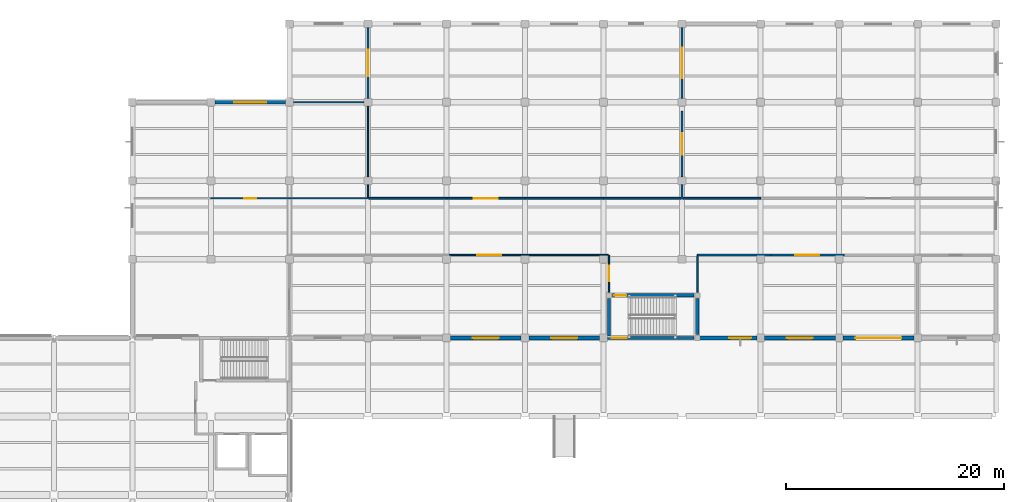
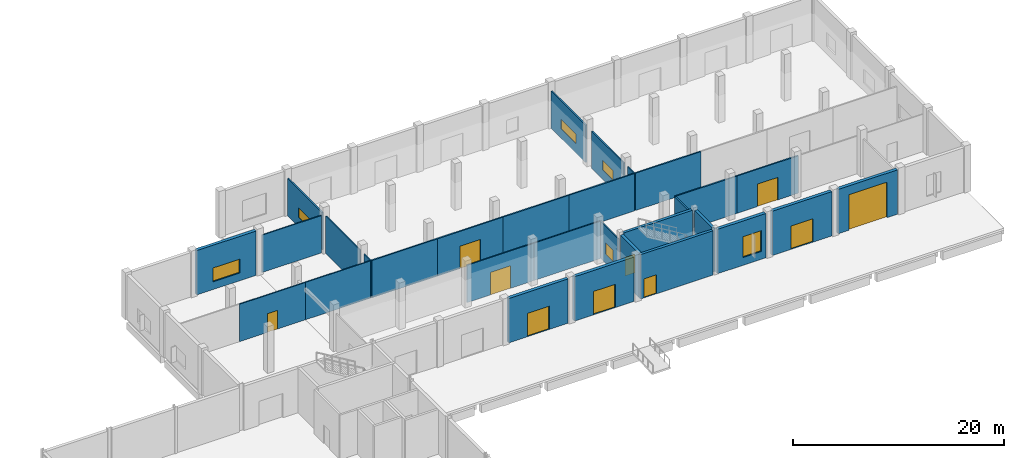
# One storey, part 29 of 46: 30 walls, 10 doors, 6 windows, 16 openings.
"""IFC4 building model written with IfcOpenShell, lengths in metres."""

from ifc_helpers import new_model, si_unit, direction, frame, frame_2d, origin, place, context, subcontext, project, spatial, rectangle, extrude, material, layer, layer_set, type_object, element, fill, save


model = new_model("IFC4")

# Units and contexts
model_context = context("Model", 3, precision=1e-05, world=origin(), true_north=direction((0.0, 1.0)))
body_context = subcontext(model_context, "Body", "Model", "MODEL_VIEW")
ifc_project = project(units=[si_unit("LENGTHUNIT", "METRE"), si_unit("AREAUNIT", "SQUARE_METRE"), si_unit("VOLUMEUNIT", "CUBIC_METRE"), si_unit("PLANEANGLEUNIT", "RADIAN"), si_unit("MASSUNIT", "GRAM", prefix="KILO"), si_unit("THERMODYNAMICTEMPERATUREUNIT", "KELVIN"), si_unit("POWERUNIT", "WATT")], contexts=[model_context])

# Site, building, storey
site_placement = place(None, origin())
site = spatial("IfcSite", under=ifc_project, at=site_placement, CompositionType="ELEMENT")
building_placement = place(site_placement, origin())
building = spatial("IfcBuilding", under=site, at=building_placement, Name="Kaldorven Railside Theatre", CompositionType="ELEMENT")
storey_placement = place(building_placement, origin())
storey = spatial("IfcBuildingStorey", under=building, at=storey_placement, Name="L00", CompositionType="ELEMENT", Elevation=0.0)

# Wall, opening, window
ifc_material_1 = material(Name="Precast concrete C40/50", Category="concrete")
ifc_layer_1 = layer(ifc_material_1, 0.35009765625, Name="Precast concrete C40/50")
ifc_layer_set_1 = layer_set([ifc_layer_1], Name="Precast concrete C40/50")
wall_type_1 = type_object("IfcWallType", Name="WL-EW03", PredefinedType="SOLIDWALL", material=ifc_layer_set_1)
wall_1_placement = place(storey_placement, frame((116.35009765625, 134.39990234375, 0.0), z_axis=(0.0, 0.0, 1.0), x_axis=(1.0, 0.0, 0.0)))
wall_1 = element("IfcWall", 1, at=wall_1_placement, inside=storey, type_object=wall_type_1, Name="V6L L00 Exterior Wall EW-0345", PredefinedType="SOLIDWALL", context=body_context, shape_type="SweptSolid", body=[
    extrude(rectangle(XDim=6.5, YDim=0.35009765625, at=frame_2d((3.25, 0.0))), origin(), (0.0, 0.0, 1.0), 5.1201171875),
])
opening_1_placement = place(wall_1_placement, frame((1.800048828125, 0.0, 0.89990234375)))
opening_1 = element("IfcOpeningElement", 2, at=opening_1_placement, cuts=wall_1, Name="Opening WN-050", PredefinedType="OPENING", context=body_context, shape_type="SweptSolid", body=[
    extrude(rectangle(XDim=2.89990234375, YDim=1.60009765625, at=frame_2d((1.449951171875, 0.800048828125))), frame((0.0, 0.18505859375, 0.0), z_axis=(0.0, -1.0, 0.0), x_axis=(1.0, 0.0, 0.0)), (0.0, 0.0, 1.0), 0.3701171875),
])
ifc_material_2 = material(Name="Low-E laminated solar-control glass", Category="glass")
window_type_1 = type_object("IfcWindowType", Name="WN-EW25", PartitioningType="SINGLE_PANEL", PredefinedType="WINDOW", material=ifc_material_2)
window_1_placement = place(opening_1_placement, origin())
window_1 = element("IfcWindow", 3, at=window_1_placement, inside=storey, type_object=window_type_1, Name="Shaded Acoustic Exterior Window WN-050", OverallHeight=1.60009765625, OverallWidth=2.89990234375, PartitioningType="SINGLE_PANEL", PredefinedType="WINDOW", context=body_context, shape_type="SweptSolid", body=[
    extrude(rectangle(XDim=2.89990234375, YDim=1.60009765625, at=frame_2d((1.449951171875, 0.800048828125))), frame((0.0, 0.030029296875, 0.0), z_axis=(0.0, -1.0, 0.0), x_axis=(1.0, 0.0, 0.0)), (0.0, 0.0, 1.0), 0.06005859375),
])
fill(opening_1, window_1)

# Wall, opening, door
wall_2_placement = place(storey_placement, frame((180.449951171875, 112.800048828125, 0.0), z_axis=(0.0, 0.0, 1.0), x_axis=(-1.0, 0.0, 0.0)))
wall_2 = element("IfcWall", 4, at=wall_2_placement, inside=storey, type_object=wall_type_1, Name="V6 L00 Exterior Wall EW-0372", PredefinedType="SOLIDWALL", context=body_context, shape_type="SweptSolid", body=[
    extrude(rectangle(XDim=6.5, YDim=0.35009765625, at=frame_2d((3.25, 0.0))), origin(), (0.0, 0.0, 1.0), 5.1201171875),
])
opening_2_placement = place(wall_2_placement, frame((1.14990234375, 0.0, 0.0)))
opening_2 = element("IfcOpeningElement", 5, at=opening_2_placement, cuts=wall_2, Name="Opening VG-01", PredefinedType="OPENING", context=body_context, shape_type="SweptSolid", body=[
    extrude(rectangle(XDim=4.199951171875, YDim=4.10009765625, at=frame_2d((2.10009765625, 2.050048828125))), frame((0.0, 0.18505859375, 0.0), z_axis=(0.0, -1.0, 0.0), x_axis=(1.0, 0.0, 0.0)), (0.0, 0.0, 1.0), 0.3701171875),
])
ifc_material_3 = material(Name="Powder-coated hollow-metal steel", Category="steel")
door_type_1 = type_object("IfcDoorType", Name="DR-VG01", OperationType="NOTDEFINED", PredefinedType="GATE", material=ifc_material_3)
door_1_placement = place(opening_2_placement, origin())
door_1 = element("IfcDoor", 6, at=door_1_placement, inside=storey, type_object=door_type_1, Name="Stage Loading Dock Roller Shutter Gate VG-01", OperationType="ROLLINGUP", OverallHeight=4.10009765625, OverallWidth=4.199951171875, PredefinedType="GATE", context=body_context, shape_type="SweptSolid", body=[
    extrude(rectangle(XDim=4.199951171875, YDim=4.10009765625, at=frame_2d((2.10009765625, 2.050048828125))), frame((0.0, 0.02490234375, 0.0), z_axis=(0.0, -1.0, 0.0), x_axis=(1.0, 0.0, 0.0)), (0.0, 0.0, 1.0), 0.050048828125),
])
fill(opening_2, door_1)

wall_3_placement = place(storey_placement, frame((173.25, 112.800048828125, 0.0), z_axis=(0.0, 0.0, 1.0), x_axis=(-1.0, 0.0, 0.0)))
wall_3 = element("IfcWall", 7, at=wall_3_placement, inside=storey, type_object=wall_type_1, Name="V6 L00 Exterior Wall EW-0373", PredefinedType="SOLIDWALL", context=body_context, shape_type="SweptSolid", body=[
    extrude(rectangle(XDim=6.5, YDim=0.35009765625, at=frame_2d((3.25, 0.0))), origin(), (0.0, 0.0, 1.0), 5.1201171875),
])
opening_3_placement = place(wall_3_placement, frame((2.050048828125, 0.0, 0.0)))
opening_3 = element("IfcOpeningElement", 8, at=opening_3_placement, cuts=wall_3, Name="Opening ED-017", PredefinedType="OPENING", context=body_context, shape_type="SweptSolid", body=[
    extrude(rectangle(XDim=2.39990234375, YDim=2.699951171875, at=frame_2d((1.199951171875, 1.35009765625))), frame((0.0, 0.18505859375, 0.0), z_axis=(0.0, -1.0, 0.0), x_axis=(1.0, 0.0, 0.0)), (0.0, 0.0, 1.0), 0.3701171875),
])
door_type_2 = type_object("IfcDoorType", Name="DR-ED11", OperationType="NOTDEFINED", PredefinedType="DOOR", material=ifc_material_3)
door_2_placement = place(opening_3_placement, origin())
door_2 = element("IfcDoor", 9, at=door_2_placement, inside=storey, type_object=door_type_2, Name="Pedestrian Final Exit ED-017", OperationType="DOUBLE_DOOR_SINGLE_SWING", OverallHeight=2.699951171875, OverallWidth=2.39990234375, PredefinedType="DOOR", context=body_context, shape_type="SweptSolid", body=[
    extrude(rectangle(XDim=2.39990234375, YDim=2.699951171875, at=frame_2d((1.199951171875, 1.35009765625))), frame((0.0, 0.02490234375, 0.0), z_axis=(0.0, -1.0, 0.0), x_axis=(1.0, 0.0, 0.0)), (0.0, 0.0, 1.0), 0.050048828125),
])
fill(opening_3, door_2)

# Wall, opening, window
wall_4_placement = place(storey_placement, frame((166.050048828125, 112.800048828125, 0.0), z_axis=(0.0, 0.0, 1.0), x_axis=(-1.0, 0.0, 0.0)))
wall_4 = element("IfcWall", 10, at=wall_4_placement, inside=storey, type_object=wall_type_1, Name="V6 L00 Exterior Wall EW-0374", PredefinedType="SOLIDWALL", context=body_context, shape_type="SweptSolid", body=[
    extrude(rectangle(XDim=5.300048828125, YDim=0.35009765625, at=frame_2d((2.64990234375, 0.0))), origin(), (0.0, 0.0, 1.0), 5.1201171875),
])
opening_4_placement = place(wall_4_placement, frame((0.5, 0.0, 0.89990234375)))
opening_4 = element("IfcOpeningElement", 11, at=opening_4_placement, cuts=wall_4, Name="Opening WN-069", PredefinedType="OPENING", context=body_context, shape_type="SweptSolid", body=[
    extrude(rectangle(XDim=2.0, YDim=2.39990234375, at=frame_2d((1.0, 1.199951171875))), frame((0.0, 0.18505859375, 0.0), z_axis=(0.0, -1.0, 0.0), x_axis=(1.0, 0.0, 0.0)), (0.0, 0.0, 1.0), 0.3701171875),
])
window_type_2 = type_object("IfcWindowType", Name="WN-EW19", PartitioningType="SINGLE_PANEL", PredefinedType="WINDOW", material=ifc_material_2)
window_2_placement = place(opening_4_placement, origin())
window_2 = element("IfcWindow", 12, at=window_2_placement, inside=storey, type_object=window_type_2, Name="Shaded Acoustic Exterior Window WN-069", OverallHeight=2.39990234375, OverallWidth=2.0, PartitioningType="SINGLE_PANEL", PredefinedType="WINDOW", context=body_context, shape_type="SweptSolid", body=[
    extrude(rectangle(XDim=2.0, YDim=2.39990234375, at=frame_2d((1.0, 1.199951171875))), frame((0.0, 0.030029296875, 0.0), z_axis=(0.0, -1.0, 0.0), x_axis=(1.0, 0.0, 0.0)), (0.0, 0.0, 1.0), 0.06005859375),
])
fill(opening_4, window_2)

# Wall, opening, door
wall_5_placement = place(storey_placement, frame((151.64990234375, 112.800048828125, 0.0), z_axis=(0.0, 0.0, 1.0), x_axis=(-1.0, 0.0, 0.0)))
wall_5 = element("IfcWall", 13, at=wall_5_placement, inside=storey, type_object=wall_type_1, Name="V6 L00 Exterior Wall EW-0375", PredefinedType="SOLIDWALL", context=body_context, shape_type="SweptSolid", body=[
    extrude(rectangle(XDim=6.5, YDim=0.35009765625, at=frame_2d((3.25, 0.0))), origin(), (0.0, 0.0, 1.0), 5.1201171875),
])
opening_5_placement = place(wall_5_placement, frame((2.050048828125, 0.0, 0.0)))
opening_5 = element("IfcOpeningElement", 14, at=opening_5_placement, cuts=wall_5, Name="Opening ED-018", PredefinedType="OPENING", context=body_context, shape_type="SweptSolid", body=[
    extrude(rectangle(XDim=2.39990234375, YDim=2.699951171875, at=frame_2d((1.199951171875, 1.35009765625))), frame((0.0, 0.18505859375, 0.0), z_axis=(0.0, -1.0, 0.0), x_axis=(1.0, 0.0, 0.0)), (0.0, 0.0, 1.0), 0.3701171875),
])
door_3_placement = place(opening_5_placement, origin())
door_3 = element("IfcDoor", 15, at=door_3_placement, inside=storey, type_object=door_type_2, Name="Pedestrian Final Exit ED-018", OperationType="DOUBLE_DOOR_SINGLE_SWING", OverallHeight=2.699951171875, OverallWidth=2.39990234375, PredefinedType="DOOR", context=body_context, shape_type="SweptSolid", body=[
    extrude(rectangle(XDim=2.39990234375, YDim=2.699951171875, at=frame_2d((1.199951171875, 1.35009765625))), frame((0.0, 0.02490234375, 0.0), z_axis=(0.0, -1.0, 0.0), x_axis=(1.0, 0.0, 0.0)), (0.0, 0.0, 1.0), 0.050048828125),
])
fill(opening_5, door_3)

wall_6_placement = place(storey_placement, frame((144.449951171875, 112.800048828125, 0.0), z_axis=(0.0, 0.0, 1.0), x_axis=(-1.0, 0.0, 0.0)))
wall_6 = element("IfcWall", 16, at=wall_6_placement, inside=storey, type_object=wall_type_1, Name="V6 L00 Exterior Wall EW-0376", PredefinedType="SOLIDWALL", context=body_context, shape_type="SweptSolid", body=[
    extrude(rectangle(XDim=6.5, YDim=0.35009765625, at=frame_2d((3.25, 0.0))), origin(), (0.0, 0.0, 1.0), 5.1201171875),
])
opening_6_placement = place(wall_6_placement, frame((2.050048828125, 0.0, 0.0)))
opening_6 = element("IfcOpeningElement", 17, at=opening_6_placement, cuts=wall_6, Name="Opening ED-019", PredefinedType="OPENING", context=body_context, shape_type="SweptSolid", body=[
    extrude(rectangle(XDim=2.39990234375, YDim=2.699951171875, at=frame_2d((1.199951171875, 1.35009765625))), frame((0.0, 0.18505859375, 0.0), z_axis=(0.0, -1.0, 0.0), x_axis=(1.0, 0.0, 0.0)), (0.0, 0.0, 1.0), 0.3701171875),
])
door_4_placement = place(opening_6_placement, origin())
door_4 = element("IfcDoor", 18, at=door_4_placement, inside=storey, type_object=door_type_2, Name="Pedestrian Final Exit ED-019", OperationType="DOUBLE_DOOR_SINGLE_SWING", OverallHeight=2.699951171875, OverallWidth=2.39990234375, PredefinedType="DOOR", context=body_context, shape_type="SweptSolid", body=[
    extrude(rectangle(XDim=2.39990234375, YDim=2.699951171875, at=frame_2d((1.199951171875, 1.35009765625))), frame((0.0, 0.02490234375, 0.0), z_axis=(0.0, -1.0, 0.0), x_axis=(1.0, 0.0, 0.0)), (0.0, 0.0, 1.0), 0.050048828125),
])
fill(opening_6, door_4)

# Wall, opening, window
ifc_material_4 = material(Name="Acoustic gypsum board")
ifc_layer_2 = layer(ifc_material_4, 0.14990234375, Name="Acoustic gypsum board")
ifc_layer_set_2 = layer_set([ifc_layer_2], Name="Acoustic gypsum board")
wall_type_2 = type_object("IfcWallType", Name="WL-IW-AC1", PredefinedType="PARTITIONING", material=ifc_layer_set_2)
wall_7_placement = place(storey_placement, frame((159.199951171875, 127.550048828125, 0.0), z_axis=(0.0, 0.0, 1.0), x_axis=(0.0, 1.0, 0.0)))
wall_7 = element("IfcWall", 19, at=wall_7_placement, inside=storey, type_object=wall_type_2, Name="L00 Interior Wall IW-0498", PredefinedType="PARTITIONING", context=body_context, shape_type="SweptSolid", body=[
    extrude(rectangle(XDim=6.050048828125, YDim=0.14990234375, at=frame_2d((3.02490234375, 0.0))), origin(), (0.0, 0.0, 1.0), 4.31494140625),
])
opening_7_placement = place(wall_7_placement, frame((2.02490234375, 0.0, 1.10009765625)))
opening_7 = element("IfcOpeningElement", 20, at=opening_7_placement, cuts=wall_7, Name="Opening IWN-010", PredefinedType="OPENING", context=body_context, shape_type="SweptSolid", body=[
    extrude(rectangle(XDim=2.0, YDim=1.10009765625, at=frame_2d((1.0, 0.550048828125))), frame((0.0, 0.0849609375, 0.0), z_axis=(0.0, -1.0, 0.0), x_axis=(1.0, 0.0, 0.0)), (0.0, 0.0, 1.0), 0.169921875),
])
window_type_3 = type_object("IfcWindowType", Name="WN-IW02", PartitioningType="SINGLE_PANEL", PredefinedType="WINDOW", material=ifc_material_2)
window_3_placement = place(opening_7_placement, origin())
window_3 = element("IfcWindow", 21, at=window_3_placement, inside=storey, type_object=window_type_3, Name="Acoustic Observation Window IWN-010", OverallHeight=1.10009765625, OverallWidth=2.0, PartitioningType="SINGLE_PANEL", PredefinedType="WINDOW", context=body_context, shape_type="SweptSolid", body=[
    extrude(rectangle(XDim=2.0, YDim=1.10009765625, at=frame_2d((1.0, 0.550048828125))), frame((0.0, 0.030029296875, 0.0), z_axis=(0.0, -1.0, 0.0), x_axis=(1.0, 0.0, 0.0)), (0.0, 0.0, 1.0), 0.06005859375),
])
fill(opening_7, window_3)

# Wall
wall_8_placement = place(storey_placement, frame((159.199951171875, 125.60009765625, 0.0), z_axis=(0.0, 0.0, 1.0), x_axis=(0.0, 1.0, 0.0)))
element("IfcWall", 22, at=wall_8_placement, inside=storey, type_object=wall_type_2, Name="L00 Interior Wall IW-0499", PredefinedType="PARTITIONING", context=body_context, shape_type="SweptSolid", body=[
    extrude(rectangle(XDim=1.25, YDim=0.14990234375, at=frame_2d((0.625, 0.0))), origin(), (0.0, 0.0, 1.0), 4.31494140625),
])

# Wall, opening, window
wall_9_placement = place(storey_placement, frame((159.199951171875, 134.75, 0.0), z_axis=(0.0, 0.0, 1.0), x_axis=(0.0, 1.0, 0.0)))
wall_9 = element("IfcWall", 23, at=wall_9_placement, inside=storey, type_object=wall_type_2, Name="L00 Interior Wall IW-0500", PredefinedType="PARTITIONING", context=body_context, shape_type="SweptSolid", body=[
    extrude(rectangle(XDim=6.5, YDim=0.14990234375, at=frame_2d((3.25, 0.0))), origin(), (0.0, 0.0, 1.0), 4.31494140625),
])
opening_8_placement = place(wall_9_placement, frame((1.85009765625, 0.0, 1.10009765625)))
opening_8 = element("IfcOpeningElement", 24, at=opening_8_placement, cuts=wall_9, Name="Opening IWN-012", PredefinedType="OPENING", context=body_context, shape_type="SweptSolid", body=[
    extrude(rectangle(XDim=2.800048828125, YDim=1.10009765625, at=frame_2d((1.39990234375, 0.550048828125))), frame((0.0, 0.0849609375, 0.0), z_axis=(0.0, -1.0, 0.0), x_axis=(1.0, 0.0, 0.0)), (0.0, 0.0, 1.0), 0.169921875),
])
window_type_4 = type_object("IfcWindowType", Name="WN-IW04", PartitioningType="SINGLE_PANEL", PredefinedType="WINDOW", material=ifc_material_2)
window_4_placement = place(opening_8_placement, origin())
window_4 = element("IfcWindow", 25, at=window_4_placement, inside=storey, type_object=window_type_4, Name="Acoustic Observation Window IWN-012", OverallHeight=1.10009765625, OverallWidth=2.800048828125, PartitioningType="SINGLE_PANEL", PredefinedType="WINDOW", context=body_context, shape_type="SweptSolid", body=[
    extrude(rectangle(XDim=2.800048828125, YDim=1.10009765625, at=frame_2d((1.39990234375, 0.550048828125))), frame((0.0, 0.030029296875, 0.0), z_axis=(0.0, -1.0, 0.0), x_axis=(1.0, 0.0, 0.0)), (0.0, 0.0, 1.0), 0.06005859375),
])
fill(opening_8, window_4)

wall_10_placement = place(storey_placement, frame((130.39990234375, 141.25, 0.0), z_axis=(0.0, 0.0, 1.0), x_axis=(0.0, -1.0, 0.0)))
wall_10 = element("IfcWall", 26, at=wall_10_placement, inside=storey, type_object=wall_type_2, Name="L00 Interior Wall IW-0501", PredefinedType="PARTITIONING", context=body_context, shape_type="SweptSolid", body=[
    extrude(rectangle(XDim=6.5, YDim=0.14990234375, at=frame_2d((3.25, 0.0))), origin(), (0.0, 0.0, 1.0), 4.31494140625),
])
opening_9_placement = place(wall_10_placement, frame((2.050048828125, 0.0, 1.10009765625)))
opening_9 = element("IfcOpeningElement", 27, at=opening_9_placement, cuts=wall_10, Name="Opening IWN-011", PredefinedType="OPENING", context=body_context, shape_type="SweptSolid", body=[
    extrude(rectangle(XDim=2.39990234375, YDim=1.10009765625, at=frame_2d((1.199951171875, 0.550048828125))), frame((0.0, 0.0849609375, 0.0), z_axis=(0.0, -1.0, 0.0), x_axis=(1.0, 0.0, 0.0)), (0.0, 0.0, 1.0), 0.169921875),
])
window_type_5 = type_object("IfcWindowType", Name="WN-IW03", PartitioningType="SINGLE_PANEL", PredefinedType="WINDOW", material=ifc_material_2)
window_5_placement = place(opening_9_placement, origin())
window_5 = element("IfcWindow", 28, at=window_5_placement, inside=storey, type_object=window_type_5, Name="Acoustic Observation Window IWN-011", OverallHeight=1.10009765625, OverallWidth=2.39990234375, PartitioningType="SINGLE_PANEL", PredefinedType="WINDOW", context=body_context, shape_type="SweptSolid", body=[
    extrude(rectangle(XDim=2.39990234375, YDim=1.10009765625, at=frame_2d((1.199951171875, 0.550048828125))), frame((0.0, 0.030029296875, 0.0), z_axis=(0.0, -1.0, 0.0), x_axis=(1.0, 0.0, 0.0)), (0.0, 0.0, 1.0), 0.06005859375),
])
fill(opening_9, window_5)

# Wall
wall_11_placement = place(storey_placement, frame((130.4619140625, 125.60009765625, 0.0), z_axis=(0.0, 0.0, 1.0), x_axis=(1.0, 0.0, 0.0)))
element("IfcWall", 29, at=wall_11_placement, inside=storey, type_object=wall_type_2, Name="L00 Interior Wall IW-0502", PredefinedType="PARTITIONING", context=body_context, shape_type="SweptSolid", body=[
    extrude(rectangle(XDim=7.13818359375, YDim=0.14990234375, at=frame_2d((3.569091796875, 0.0))), origin(), (0.0, 0.0, 1.0), 4.31494140625),
])

# Wall, opening, door
wall_12_placement = place(storey_placement, frame((137.60009765625, 125.60009765625, 0.0), z_axis=(0.0, 0.0, 1.0), x_axis=(1.0, 0.0, 0.0)))
wall_12 = element("IfcWall", 30, at=wall_12_placement, inside=storey, type_object=wall_type_2, Name="L00 Interior Wall IW-0503", PredefinedType="PARTITIONING", context=body_context, shape_type="SweptSolid", body=[
    extrude(rectangle(XDim=7.199951171875, YDim=0.14990234375, at=frame_2d((3.60009765625, 0.0))), origin(), (0.0, 0.0, 1.0), 4.31494140625),
])
opening_10_placement = place(wall_12_placement, frame((2.5, 0.0, 0.0)))
opening_10 = element("IfcOpeningElement", 31, at=opening_10_placement, cuts=wall_12, Name="Opening ID-0116", PredefinedType="OPENING", context=body_context, shape_type="SweptSolid", body=[
    extrude(rectangle(XDim=2.199951171875, YDim=2.60009765625, at=frame_2d((1.10009765625, 1.300048828125))), frame((0.0, 0.0849609375, 0.0), z_axis=(0.0, -1.0, 0.0), x_axis=(1.0, 0.0, 0.0)), (0.0, 0.0, 1.0), 0.169921875),
])
door_type_3 = type_object("IfcDoorType", Name="DR-ID-WKS1", OperationType="NOTDEFINED", PredefinedType="DOOR", material=ifc_material_3)
door_5_placement = place(opening_10_placement, origin())
door_5 = element("IfcDoor", 32, at=door_5_placement, inside=storey, type_object=door_type_3, Name="Scenery Workshop Entry Door", OperationType="DOUBLE_DOOR_SINGLE_SWING", OverallHeight=2.60009765625, OverallWidth=2.199951171875, PredefinedType="DOOR", context=body_context, shape_type="SweptSolid", body=[
    extrude(rectangle(XDim=2.199951171875, YDim=2.60009765625, at=frame_2d((1.10009765625, 1.300048828125))), frame((0.0, 0.02490234375, 0.0), z_axis=(0.0, -1.0, 0.0), x_axis=(1.0, 0.0, 0.0)), (0.0, 0.0, 1.0), 0.050048828125),
])
fill(opening_10, door_5)

# Walls
wall_13_placement = place(storey_placement, frame((144.800048828125, 125.60009765625, 0.0), z_axis=(0.0, 0.0, 1.0), x_axis=(1.0, 0.0, 0.0)))
element("IfcWall", 33, at=wall_13_placement, inside=storey, type_object=wall_type_2, Name="L00 Interior Wall IW-0504", PredefinedType="PARTITIONING", context=body_context, shape_type="SweptSolid", body=[
    extrude(rectangle(XDim=7.199951171875, YDim=0.14990234375, at=frame_2d((3.60009765625, 0.0))), origin(), (0.0, 0.0, 1.0), 4.31494140625),
])
wall_14_placement = place(storey_placement, frame((152.0, 125.60009765625, 0.0), z_axis=(0.0, 0.0, 1.0), x_axis=(1.0, 0.0, 0.0)))
element("IfcWall", 34, at=wall_14_placement, inside=storey, type_object=wall_type_2, Name="L00 Interior Wall IW-0505", PredefinedType="PARTITIONING", context=body_context, shape_type="SweptSolid", body=[
    extrude(rectangle(XDim=7.123046875, YDim=0.14990234375, at=frame_2d((3.5615234375, 0.0))), origin(), (0.0, 0.0, 1.0), 4.31494140625),
])
wall_15_placement = place(storey_placement, frame((159.277099609375, 125.60009765625, 0.0), z_axis=(0.0, 0.0, 1.0), x_axis=(1.0, 0.0, 0.0)))
element("IfcWall", 35, at=wall_15_placement, inside=storey, type_object=wall_type_2, Name="L00 Interior Wall IW-0506", PredefinedType="PARTITIONING", context=body_context, shape_type="SweptSolid", body=[
    extrude(rectangle(XDim=7.122802734375, YDim=0.14990234375, at=frame_2d((3.5615234375, 0.0))), origin(), (0.0, 0.0, 1.0), 4.31494140625),
])

# Wall, opening, door
wall_16_placement = place(storey_placement, frame((174.066650390625, 120.39990234375, 0.0), z_axis=(0.0, 0.0, 1.0), x_axis=(-1.0, 0.0, 0.0)))
wall_16 = element("IfcWall", 36, at=wall_16_placement, inside=storey, type_object=wall_type_2, Name="L00 Interior Wall IW-0512", PredefinedType="PARTITIONING", context=body_context, shape_type="SweptSolid", body=[
    extrude(rectangle(XDim=6.7333984375, YDim=0.14990234375, at=frame_2d((3.36669921875, 0.0))), origin(), (0.0, 0.0, 1.0), 4.31494140625),
])
opening_11_placement = place(wall_16_placement, frame((2.2666015625, 0.0, 0.0)))
opening_11 = element("IfcOpeningElement", 37, at=opening_11_placement, cuts=wall_16, Name="Opening ID-0118", PredefinedType="OPENING", context=body_context, shape_type="SweptSolid", body=[
    extrude(rectangle(XDim=2.199951171875, YDim=2.60009765625, at=frame_2d((1.10009765625, 1.300048828125))), frame((0.0, 0.0849609375, 0.0), z_axis=(0.0, -1.0, 0.0), x_axis=(1.0, 0.0, 0.0)), (0.0, 0.0, 1.0), 0.169921875),
])
door_6_placement = place(opening_11_placement, origin())
door_6 = element("IfcDoor", 38, at=door_6_placement, inside=storey, type_object=door_type_3, Name="Loading Airlock Entry Door", OperationType="DOUBLE_DOOR_SINGLE_SWING", OverallHeight=2.60009765625, OverallWidth=2.199951171875, PredefinedType="DOOR", context=body_context, shape_type="SweptSolid", body=[
    extrude(rectangle(XDim=2.199951171875, YDim=2.60009765625, at=frame_2d((1.10009765625, 1.300048828125))), frame((0.0, 0.02490234375, 0.0), z_axis=(0.0, -1.0, 0.0), x_axis=(1.0, 0.0, 0.0)), (0.0, 0.0, 1.0), 0.050048828125),
])
fill(opening_11, door_6)

# Walls
wall_17_placement = place(storey_placement, frame((167.333251953125, 120.39990234375, 0.0), z_axis=(0.0, 0.0, 1.0), x_axis=(-1.0, 0.0, 0.0)))
element("IfcWall", 39, at=wall_17_placement, inside=storey, type_object=wall_type_2, Name="L00 Interior Wall IW-0513", PredefinedType="PARTITIONING", context=body_context, shape_type="SweptSolid", body=[
    extrude(rectangle(XDim=6.733154296875, YDim=0.14990234375, at=frame_2d((3.36669921875, 0.0))), origin(), (0.0, 0.0, 1.0), 4.31494140625),
])
wall_18_placement = place(storey_placement, frame((160.60009765625, 120.322998046875, 0.0), z_axis=(0.0, 0.0, 1.0), x_axis=(0.0, -1.0, 0.0)))
element("IfcWall", 40, at=wall_18_placement, inside=storey, type_object=wall_type_2, Name="L00 Interior Wall IW-0514", PredefinedType="PARTITIONING", context=body_context, shape_type="SweptSolid", body=[
    extrude(rectangle(XDim=3.322998046875, YDim=0.14990234375, at=frame_2d((1.66162109375, 0.0))), origin(), (0.0, 0.0, 1.0), 4.31494140625),
])

# Wall, opening, door
ifc_material_5 = material(Name="Concrete C40/50", Category="concrete")
ifc_layer_3 = layer(ifc_material_5, 0.300048828125, Name="Concrete C40/50")
ifc_layer_set_3 = layer_set([ifc_layer_3], Name="Concrete C40/50")
wall_type_3 = type_object("IfcWallType", Name="WL-IW-CORE", PredefinedType="SHEAR", material=ifc_layer_set_3)
wall_19_placement = place(storey_placement, frame((160.300048828125, 112.800048828125, 0.0), z_axis=(0.0, 0.0, 1.0), x_axis=(-1.0, 0.0, 0.0)))
wall_19 = element("IfcWall", 41, at=wall_19_placement, inside=storey, type_object=wall_type_3, Name="L00 Core Wall CW-0305", PredefinedType="SHEAR", context=body_context, shape_type="SweptSolid", body=[
    extrude(rectangle(XDim=7.949951171875, YDim=0.300048828125, at=frame_2d((3.97509765625, 0.0))), origin(), (0.0, 0.0, 1.0), 5.1201171875),
])
opening_12_placement = place(wall_19_placement, frame((6.175048828125, 0.0, 0.0)))
opening_12 = element("IfcOpeningElement", 42, at=opening_12_placement, cuts=wall_19, Name="Opening ED-205", PredefinedType="OPENING", context=body_context, shape_type="SweptSolid", body=[
    extrude(rectangle(XDim=1.35009765625, YDim=2.199951171875, at=frame_2d((0.675048828125, 1.10009765625))), frame((0.0, 0.16015625, 0.0), z_axis=(0.0, -1.0, 0.0), x_axis=(1.0, 0.0, 0.0)), (0.0, 0.0, 1.0), 0.320068359375),
])
door_type_4 = type_object("IfcDoorType", Name="DR-ED04", OperationType="NOTDEFINED", PredefinedType="DOOR", material=ifc_material_3)
door_7_placement = place(opening_12_placement, origin())
door_7 = element("IfcDoor", 43, at=door_7_placement, inside=storey, type_object=door_type_4, Name="Pedestrian Final Exit (ST-08)", OperationType="SINGLE_SWING_LEFT", OverallHeight=2.199951171875, OverallWidth=1.35009765625, PredefinedType="DOOR", context=body_context, shape_type="SweptSolid", body=[
    extrude(rectangle(XDim=1.35009765625, YDim=2.199951171875, at=frame_2d((0.675048828125, 1.10009765625))), frame((0.0, 0.02490234375, 0.0), z_axis=(0.0, -1.0, 0.0), x_axis=(1.0, 0.0, 0.0)), (0.0, 0.0, 1.0), 0.050048828125),
])
fill(opening_12, door_7)

# Wall
wall_20_placement = place(storey_placement, frame((152.5, 112.951904296875, 0.0), z_axis=(0.0, 0.0, 1.0), x_axis=(0.0, 1.0, 0.0)))
element("IfcWall", 44, at=wall_20_placement, inside=storey, type_object=wall_type_3, Name="L00 Core Wall CW-0306", PredefinedType="SHEAR", context=body_context, shape_type="SweptSolid", body=[
    extrude(rectangle(XDim=3.447998046875, YDim=0.300048828125, at=frame_2d((1.72412109375, 0.0))), origin(), (0.0, 0.0, 1.0), 5.1201171875),
])

# Wall, opening, door
wall_21_placement = place(storey_placement, frame((152.800048828125, 116.699951171875, 0.0), z_axis=(0.0, 0.0, 1.0), x_axis=(1.0, 0.0, 0.0)))
wall_21 = element("IfcWall", 45, at=wall_21_placement, inside=storey, type_object=wall_type_3, Name="L00 Core Wall CW-0307", PredefinedType="SHEAR", context=body_context, shape_type="SweptSolid", body=[
    extrude(rectangle(XDim=7.5, YDim=0.300048828125, at=frame_2d((3.75, 0.0))), origin(), (0.0, 0.0, 1.0), 5.1201171875),
])
opening_13_placement = place(wall_21_placement, frame((0.199951171875, 0.0, 0.0)))
opening_13 = element("IfcOpeningElement", 46, at=opening_13_placement, cuts=wall_21, Name="Opening ID-0050", PredefinedType="OPENING", context=body_context, shape_type="SweptSolid", body=[
    extrude(rectangle(XDim=1.10009765625, YDim=2.14990234375, at=frame_2d((0.550048828125, 1.074951171875))), frame((0.0, 0.16015625, 0.0), z_axis=(0.0, -1.0, 0.0), x_axis=(1.0, 0.0, 0.0)), (0.0, 0.0, 1.0), 0.320068359375),
])
ifc_material_6 = material(Name="Acoustic hardwood timber", Category="wood")
door_type_5 = type_object("IfcDoorType", Name="DR-ID-FD60", OperationType="NOTDEFINED", PredefinedType="DOOR", material=ifc_material_6)
door_8_placement = place(opening_13_placement, origin())
door_8 = element("IfcDoor", 47, at=door_8_placement, inside=storey, type_object=door_type_5, Name="Stair ST-08 Fire Door", OperationType="SINGLE_SWING_RIGHT", OverallHeight=2.14990234375, OverallWidth=1.10009765625, PredefinedType="DOOR", context=body_context, shape_type="SweptSolid", body=[
    extrude(rectangle(XDim=1.10009765625, YDim=2.14990234375, at=frame_2d((0.550048828125, 1.074951171875))), frame((0.0, 0.02490234375, 0.0), z_axis=(0.0, -1.0, 0.0), x_axis=(1.0, 0.0, 0.0)), (0.0, 0.0, 1.0), 0.050048828125),
])
fill(opening_13, door_8)

# Walls
wall_22_placement = place(storey_placement, frame((160.60009765625, 116.39990234375, 0.0), z_axis=(0.0, 0.0, 1.0), x_axis=(0.0, -1.0, 0.0)))
element("IfcWall", 48, at=wall_22_placement, inside=storey, type_object=wall_type_3, Name="L00 Core Wall CW-0308", PredefinedType="SHEAR", context=body_context, shape_type="SweptSolid", body=[
    extrude(rectangle(XDim=3.2998046875, YDim=0.300048828125, at=frame_2d((1.64990234375, 0.0))), origin(), (0.0, 0.0, 1.0), 5.1201171875),
])
ifc_material_7 = material(Name="Fire-rated acoustic gypsum board")
ifc_layer_4 = layer(ifc_material_7, 0.1201171875, Name="Fire-rated acoustic gypsum board")
ifc_layer_set_4 = layer_set([ifc_layer_4], Name="Fire-rated acoustic gypsum board")
wall_type_4 = type_object("IfcWallType", Name="WL-IW-PT1", PredefinedType="PARTITIONING", material=ifc_layer_set_4)
wall_23_placement = place(storey_placement, frame((130.39990234375, 127.550048828125, 0.0), z_axis=(0.0, 0.0, 1.0), x_axis=(0.0, 1.0, 0.0)))
element("IfcWall", 49, at=wall_23_placement, inside=storey, type_object=wall_type_4, Name="L00 Interior Wall IW-0492", PredefinedType="PARTITIONING", context=body_context, shape_type="SweptSolid", body=[
    extrude(rectangle(XDim=6.5, YDim=0.1201171875, at=frame_2d((3.25, 0.0))), origin(), (0.0, 0.0, 1.0), 4.31494140625),
])
wall_24_placement = place(storey_placement, frame((130.39990234375, 125.60009765625, 0.0), z_axis=(0.0, 0.0, 1.0), x_axis=(0.0, 1.0, 0.0)))
element("IfcWall", 50, at=wall_24_placement, inside=storey, type_object=wall_type_4, Name="L00 Interior Wall IW-0493", PredefinedType="PARTITIONING", context=body_context, shape_type="SweptSolid", body=[
    extrude(rectangle(XDim=1.25, YDim=0.1201171875, at=frame_2d((0.625, 0.0))), origin(), (0.0, 0.0, 1.0), 4.31494140625),
])
wall_25_placement = place(storey_placement, frame((130.050048828125, 134.39990234375, 0.0), z_axis=(0.0, 0.0, 1.0), x_axis=(-1.0, 0.0, 0.0)))
element("IfcWall", 51, at=wall_25_placement, inside=storey, type_object=wall_type_4, Name="L00 Interior Wall IW-0494", PredefinedType="PARTITIONING", context=body_context, shape_type="SweptSolid", body=[
    extrude(rectangle(XDim=6.5, YDim=0.1201171875, at=frame_2d((3.25, 0.0))), origin(), (0.0, 0.0, 1.0), 4.31494140625),
])

# Wall, opening, door
wall_26_placement = place(storey_placement, frame((116.0, 125.60009765625, 0.0), z_axis=(0.0, 0.0, 1.0), x_axis=(1.0, 0.0, 0.0)))
wall_26 = element("IfcWall", 52, at=wall_26_placement, inside=storey, type_object=wall_type_4, Name="L00 Interior Wall IW-0496", PredefinedType="PARTITIONING", context=body_context, shape_type="SweptSolid", body=[
    extrude(rectangle(XDim=7.199951171875, YDim=0.1201171875, at=frame_2d((3.60009765625, 0.0))), origin(), (0.0, 0.0, 1.0), 4.31494140625),
])
opening_14_placement = place(wall_26_placement, frame((3.050048828125, 0.0, 0.0)))
opening_14 = element("IfcOpeningElement", 53, at=opening_14_placement, cuts=wall_26, Name="Opening ID-0115", PredefinedType="OPENING", context=body_context, shape_type="SweptSolid", body=[
    extrude(rectangle(XDim=1.10009765625, YDim=2.14990234375, at=frame_2d((0.550048828125, 1.074951171875))), frame((0.0, 0.070068359375, 0.0), z_axis=(0.0, -1.0, 0.0), x_axis=(1.0, 0.0, 0.0)), (0.0, 0.0, 1.0), 0.14013671875),
])
door_9_placement = place(opening_14_placement, origin())
door_9 = element("IfcDoor", 54, at=door_9_placement, inside=storey, type_object=door_type_5, Name="Scene Store Entry Door", OperationType="SINGLE_SWING_LEFT", OverallHeight=2.14990234375, OverallWidth=1.10009765625, PredefinedType="DOOR", context=body_context, shape_type="SweptSolid", body=[
    extrude(rectangle(XDim=1.10009765625, YDim=2.14990234375, at=frame_2d((0.550048828125, 1.074951171875))), frame((0.0, 0.02490234375, 0.0), z_axis=(0.0, -1.0, 0.0), x_axis=(1.0, 0.0, 0.0)), (0.0, 0.0, 1.0), 0.050048828125),
])
fill(opening_14, door_9)

# Wall
wall_27_placement = place(storey_placement, frame((123.199951171875, 125.60009765625, 0.0), z_axis=(0.0, 0.0, 1.0), x_axis=(1.0, 0.0, 0.0)))
element("IfcWall", 55, at=wall_27_placement, inside=storey, type_object=wall_type_4, Name="L00 Interior Wall IW-0497", PredefinedType="PARTITIONING", context=body_context, shape_type="SweptSolid", body=[
    extrude(rectangle(XDim=7.137939453125, YDim=0.1201171875, at=frame_2d((3.56884765625, 0.0))), origin(), (0.0, 0.0, 1.0), 4.31494140625),
])

# Wall, opening, window
wall_28_placement = place(storey_placement, frame((152.5, 117.0, 0.0), z_axis=(0.0, 0.0, 1.0), x_axis=(0.0, 1.0, 0.0)))
wall_28 = element("IfcWall", 56, at=wall_28_placement, inside=storey, type_object=wall_type_4, Name="L00 Interior Wall IW-0515", PredefinedType="PARTITIONING", context=body_context, shape_type="SweptSolid", body=[
    extrude(rectangle(XDim=3.39990234375, YDim=0.1201171875, at=frame_2d((1.699951171875, 0.0))), origin(), (0.0, 0.0, 1.0), 4.31494140625),
])
opening_15_placement = place(wall_28_placement, frame((1.0, 0.0, 1.10009765625)))
opening_15 = element("IfcOpeningElement", 57, at=opening_15_placement, cuts=wall_28, Name="Opening IWN-013", PredefinedType="OPENING", context=body_context, shape_type="SweptSolid", body=[
    extrude(rectangle(XDim=1.39990234375, YDim=1.300048828125, at=frame_2d((0.699951171875, 0.64990234375))), frame((0.0, 0.070068359375, 0.0), z_axis=(0.0, -1.0, 0.0), x_axis=(1.0, 0.0, 0.0)), (0.0, 0.0, 1.0), 0.14013671875),
])
window_type_6 = type_object("IfcWindowType", Name="WN-IW05", PartitioningType="SINGLE_PANEL", PredefinedType="WINDOW", material=ifc_material_2)
window_6_placement = place(opening_15_placement, origin())
window_6 = element("IfcWindow", 58, at=window_6_placement, inside=storey, type_object=window_type_6, Name="Acoustic Observation Window IWN-013", OverallHeight=1.300048828125, OverallWidth=1.39990234375, PartitioningType="SINGLE_PANEL", PredefinedType="WINDOW", context=body_context, shape_type="SweptSolid", body=[
    extrude(rectangle(XDim=1.39990234375, YDim=1.300048828125, at=frame_2d((0.699951171875, 0.64990234375))), frame((0.0, 0.030029296875, 0.0), z_axis=(0.0, -1.0, 0.0), x_axis=(1.0, 0.0, 0.0)), (0.0, 0.0, 1.0), 0.06005859375),
])
fill(opening_15, window_6)

# Wall
wall_29_placement = place(storey_placement, frame((152.43798828125, 120.39990234375, 0.0), z_axis=(0.0, 0.0, 1.0), x_axis=(-1.0, 0.0, 0.0)))
element("IfcWall", 59, at=wall_29_placement, inside=storey, type_object=wall_type_4, Name="L00 Interior Wall IW-0516", PredefinedType="PARTITIONING", context=body_context, shape_type="SweptSolid", body=[
    extrude(rectangle(XDim=7.262939453125, YDim=0.1201171875, at=frame_2d((3.63134765625, 0.0))), origin(), (0.0, 0.0, 1.0), 4.31494140625),
])

# Wall, opening, door
wall_30_placement = place(storey_placement, frame((145.175048828125, 120.39990234375, 0.0), z_axis=(0.0, 0.0, 1.0), x_axis=(-1.0, 0.0, 0.0)))
wall_30 = element("IfcWall", 60, at=wall_30_placement, inside=storey, type_object=wall_type_4, Name="L00 Interior Wall IW-0517", PredefinedType="PARTITIONING", context=body_context, shape_type="SweptSolid", body=[
    extrude(rectangle(XDim=7.324951171875, YDim=0.1201171875, at=frame_2d((3.66259765625, 0.0))), origin(), (0.0, 0.0, 1.0), 4.31494140625),
])
opening_16_placement = place(wall_30_placement, frame((2.5625, 0.0, 0.0)))
opening_16 = element("IfcOpeningElement", 61, at=opening_16_placement, cuts=wall_30, Name="Opening ID-0119", PredefinedType="OPENING", context=body_context, shape_type="SweptSolid", body=[
    extrude(rectangle(XDim=2.199951171875, YDim=2.60009765625, at=frame_2d((1.10009765625, 1.300048828125))), frame((0.0, 0.070068359375, 0.0), z_axis=(0.0, -1.0, 0.0), x_axis=(1.0, 0.0, 0.0)), (0.0, 0.0, 1.0), 0.14013671875),
])
door_10_placement = place(opening_16_placement, origin())
door_10 = element("IfcDoor", 62, at=door_10_placement, inside=storey, type_object=door_type_3, Name="Paint Shop Entry Door", OperationType="DOUBLE_DOOR_SINGLE_SWING", OverallHeight=2.60009765625, OverallWidth=2.199951171875, PredefinedType="DOOR", context=body_context, shape_type="SweptSolid", body=[
    extrude(rectangle(XDim=2.199951171875, YDim=2.60009765625, at=frame_2d((1.10009765625, 1.300048828125))), frame((0.0, 0.02490234375, 0.0), z_axis=(0.0, -1.0, 0.0), x_axis=(1.0, 0.0, 0.0)), (0.0, 0.0, 1.0), 0.050048828125),
])
fill(opening_16, door_10)

save(model, "model.ifc")
